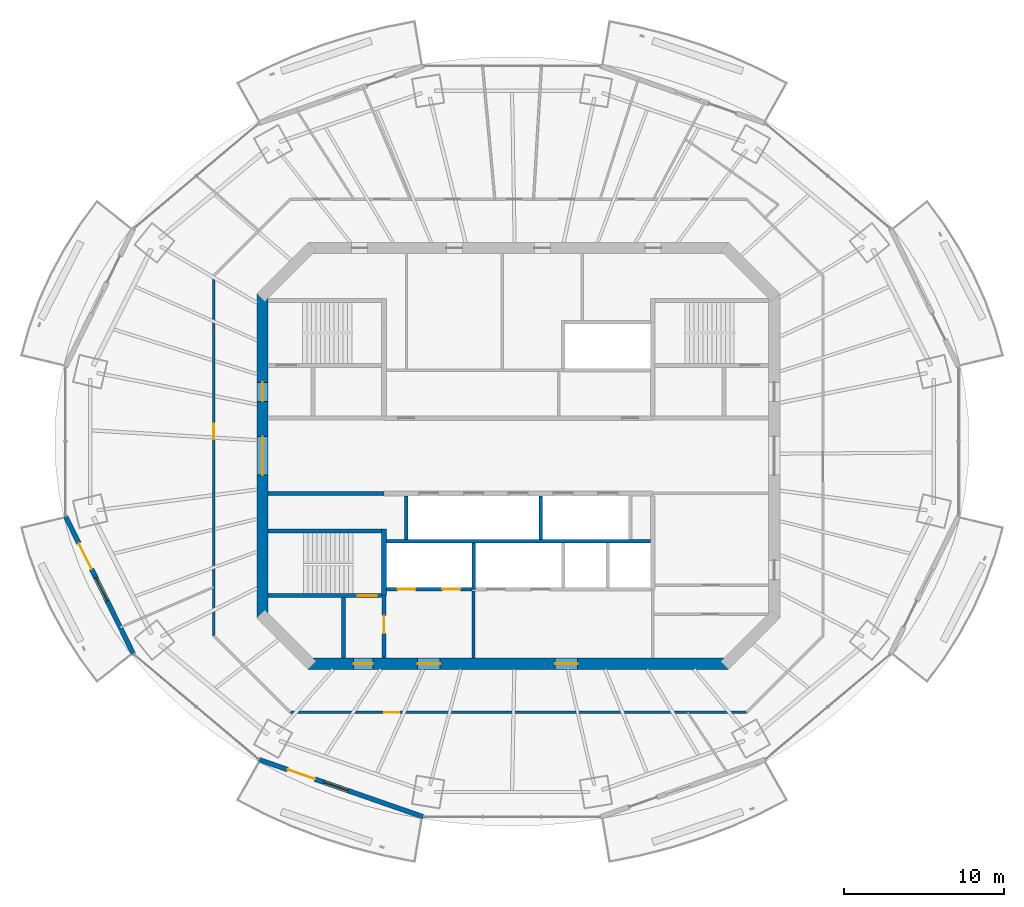
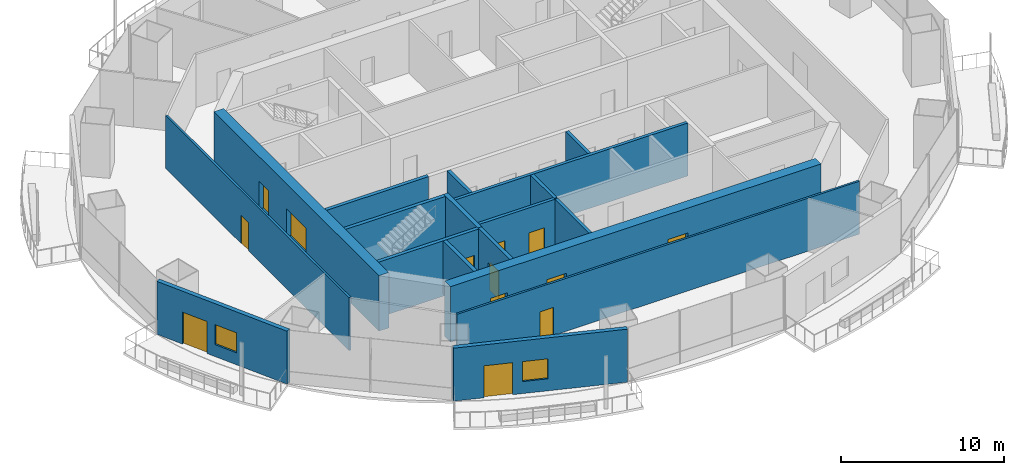
# One storey, part 8 of 16: 18 walls, 13 doors, 2 windows, 15 openings.
"""IFC4 building model written with IfcOpenShell, lengths in metres."""

from ifc_helpers import new_model, si_unit, direction, frame, frame_2d, origin, place, context, subcontext, project, spatial, rectangle, extrude, material, layer, layer_set, type_object, element, fill, save


model = new_model("IFC4")

# Units and contexts
model_context = context("Model", 3, precision=1e-05, world=origin(), true_north=direction((0.0, 1.0)))
body_context = subcontext(model_context, "Body", "Model", "MODEL_VIEW")
ifc_project = project(units=[si_unit("LENGTHUNIT", "METRE"), si_unit("AREAUNIT", "SQUARE_METRE"), si_unit("VOLUMEUNIT", "CUBIC_METRE"), si_unit("PLANEANGLEUNIT", "RADIAN"), si_unit("MASSUNIT", "GRAM", prefix="KILO")], contexts=[model_context])

# Site, building, storey
site_placement = place(None, origin())
site = spatial("IfcSite", under=ifc_project, at=site_placement, CompositionType="ELEMENT")
building_placement = place(site_placement, origin())
building = spatial("IfcBuilding", under=site, at=building_placement, Name="Marenthal Gate Tower", CompositionType="ELEMENT")
storey_placement = place(building_placement, frame((0.0, 0.0, 305.25)))
storey = spatial("IfcBuildingStorey", under=building, at=storey_placement, Name="L68", CompositionType="ELEMENT", Elevation=305.25)

# Wall, openings, doors
ifc_material_1 = material(Name="Concrete 60 MPa", Category="concrete")
ifc_layer_1 = layer(ifc_material_1, 0.699951171875)
ifc_layer_set_1 = layer_set([ifc_layer_1], Name="Core shear wall 700")
wall_type_1 = type_object("IfcWallType", Name="Core shear wall 700", PredefinedType="SHEAR", material=ifc_layer_set_1)
wall_1_placement = place(storey_placement, frame((-16.0, 10.14501953125, -0.179931640625), z_axis=(0.0, 0.0, 1.0), x_axis=(0.0, -1.0, 0.0)))
wall_1 = element("IfcWall", 1, at=wall_1_placement, inside=storey, type_object=wall_type_1, Name="Core wall 06", PredefinedType="SHEAR", context=body_context, shape_type="SweptSolid", body=[
    extrude(rectangle(XDim=20.2900390625, YDim=0.699951171875, at=frame_2d((10.14501953125, 0.0))), origin(), (0.0, 0.0, 1.0), 4.14990234375),
])
opening_1_placement = place(wall_1_placement, frame((8.945068359375, 0.0, 0.179931640625)))
opening_1 = element("IfcOpeningElement", 2, at=opening_1_placement, cuts=wall_1, Name="Opening D003.01", PredefinedType="OPENING", context=body_context, shape_type="SweptSolid", body=[
    extrude(rectangle(XDim=2.39990234375, YDim=2.10009765625, at=frame_2d((1.199951171875, 1.050048828125))), frame((0.0, 0.35986328125, 0.0), z_axis=(0.0, -1.0, 0.0), x_axis=(1.0, 0.0, 0.0)), (0.0, 0.0, 1.0), 0.719970703125),
])
opening_2_placement = place(wall_1_placement, frame((5.544921875, 0.0, 0.179931640625)))
opening_2 = element("IfcOpeningElement", 3, at=opening_2_placement, cuts=wall_1, Name="Opening D001.04", PredefinedType="OPENING", context=body_context, shape_type="SweptSolid", body=[
    extrude(rectangle(XDim=1.199951171875, YDim=2.10009765625, at=frame_2d((0.60009765625, 1.050048828125))), frame((0.0, 0.35986328125, 0.0), z_axis=(0.0, -1.0, 0.0), x_axis=(1.0, 0.0, 0.0)), (0.0, 0.0, 1.0), 0.719970703125),
])
ifc_material_2 = material(Name="Steel fire door", Category="steel")
door_type_1 = type_object("IfcDoorType", Name="Double fire door FD 45 2400 x 2100", OperationType="DOUBLE_DOOR_SINGLE_SWING", PredefinedType="DOOR", material=ifc_material_2)
door_1_placement = place(opening_1_placement, origin())
door_1 = element("IfcDoor", 4, at=door_1_placement, inside=storey, type_object=door_type_1, Name="Door D003.01", OperationType="DOUBLE_DOOR_SINGLE_SWING", OverallHeight=2.10009765625, OverallWidth=2.39990234375, PredefinedType="DOOR", context=body_context, shape_type="SweptSolid", body=[
    extrude(rectangle(XDim=2.39990234375, YDim=2.10009765625, at=frame_2d((1.199951171875, 1.050048828125))), frame((0.0, 0.02490234375, 0.0), z_axis=(0.0, -1.0, 0.0), x_axis=(1.0, 0.0, 0.0)), (0.0, 0.0, 1.0), 0.050048828125),
])
fill(opening_1, door_1)
ifc_material_3 = material(Name="Steel fire door", Category="steel")
door_type_2 = type_object("IfcDoorType", Name="Fire door FD 90 1200 x 2100", OperationType="NOTDEFINED", PredefinedType="DOOR", material=ifc_material_3)
door_2_placement = place(opening_2_placement, origin())
door_2 = element("IfcDoor", 5, at=door_2_placement, inside=storey, type_object=door_type_2, Name="Door D001.04", OperationType="SINGLE_SWING_RIGHT", OverallHeight=2.10009765625, OverallWidth=1.199951171875, PredefinedType="DOOR", context=body_context, shape_type="SweptSolid", body=[
    extrude(rectangle(XDim=1.199951171875, YDim=2.10009765625, at=frame_2d((0.60009765625, 1.050048828125))), frame((0.0, 0.02490234375, 0.0), z_axis=(0.0, -1.0, 0.0), x_axis=(1.0, 0.0, 0.0)), (0.0, 0.0, 1.0), 0.050048828125),
])
fill(opening_2, door_2)

wall_2_placement = place(storey_placement, frame((-13.14501953125, -13.0, -0.179931640625), z_axis=(0.0, 0.0, 1.0), x_axis=(1.0, 0.0, 0.0)))
wall_2 = element("IfcWall", 6, at=wall_2_placement, inside=storey, type_object=wall_type_1, Name="Core wall 08", PredefinedType="SHEAR", context=body_context, shape_type="SweptSolid", body=[
    extrude(rectangle(XDim=26.2900390625, YDim=0.699951171875, at=frame_2d((13.14501953125, 0.0))), origin(), (0.0, 0.0, 1.0), 4.14990234375),
])
opening_3_placement = place(wall_2_placement, frame((2.844970703125, 0.0, 0.179931640625)))
opening_3 = element("IfcOpeningElement", 7, at=opening_3_placement, cuts=wall_2, Name="Opening D001.06", PredefinedType="OPENING", context=body_context, shape_type="SweptSolid", body=[
    extrude(rectangle(XDim=1.199951171875, YDim=2.10009765625, at=frame_2d((0.60009765625, 1.050048828125))), frame((0.0, 0.35986328125, 0.0), z_axis=(0.0, -1.0, 0.0), x_axis=(1.0, 0.0, 0.0)), (0.0, 0.0, 1.0), 0.719970703125),
])
opening_4_placement = place(wall_2_placement, frame((6.844970703125, 0.0, 0.179931640625)))
opening_4 = element("IfcOpeningElement", 8, at=opening_4_placement, cuts=wall_2, Name="Opening D004.01", PredefinedType="OPENING", context=body_context, shape_type="SweptSolid", body=[
    extrude(rectangle(XDim=1.39990234375, YDim=2.10009765625, at=frame_2d((0.699951171875, 1.050048828125))), frame((0.0, 0.35986328125, 0.0), z_axis=(0.0, -1.0, 0.0), x_axis=(1.0, 0.0, 0.0)), (0.0, 0.0, 1.0), 0.719970703125),
])
opening_5_placement = place(wall_2_placement, frame((15.445068359375, 0.0, 0.179931640625)))
opening_5 = element("IfcOpeningElement", 9, at=opening_5_placement, cuts=wall_2, Name="Opening D004.02", PredefinedType="OPENING", context=body_context, shape_type="SweptSolid", body=[
    extrude(rectangle(XDim=1.39990234375, YDim=2.10009765625, at=frame_2d((0.699951171875, 1.050048828125))), frame((0.0, 0.35986328125, 0.0), z_axis=(0.0, -1.0, 0.0), x_axis=(1.0, 0.0, 0.0)), (0.0, 0.0, 1.0), 0.719970703125),
])
ifc_material_4 = material(Name="Steel fire door", Category="steel")
door_type_3 = type_object("IfcDoorType", Name="Fire door FD 45 1400 x 2100", OperationType="NOTDEFINED", PredefinedType="DOOR", material=ifc_material_4)
door_3_placement = place(opening_4_placement, origin())
door_3 = element("IfcDoor", 10, at=door_3_placement, inside=storey, type_object=door_type_3, Name="Door D004.01", OperationType="SINGLE_SWING_RIGHT", OverallHeight=2.10009765625, OverallWidth=1.39990234375, PredefinedType="DOOR", context=body_context, shape_type="SweptSolid", body=[
    extrude(rectangle(XDim=1.39990234375, YDim=2.10009765625, at=frame_2d((0.699951171875, 1.050048828125))), frame((0.0, 0.02490234375, 0.0), z_axis=(0.0, -1.0, 0.0), x_axis=(1.0, 0.0, 0.0)), (0.0, 0.0, 1.0), 0.050048828125),
])
fill(opening_4, door_3)
door_4_placement = place(opening_5_placement, origin())
door_4 = element("IfcDoor", 11, at=door_4_placement, inside=storey, type_object=door_type_3, Name="Door D004.02", OperationType="SINGLE_SWING_RIGHT", OverallHeight=2.10009765625, OverallWidth=1.39990234375, PredefinedType="DOOR", context=body_context, shape_type="SweptSolid", body=[
    extrude(rectangle(XDim=1.39990234375, YDim=2.10009765625, at=frame_2d((0.699951171875, 1.050048828125))), frame((0.0, 0.02490234375, 0.0), z_axis=(0.0, -1.0, 0.0), x_axis=(1.0, 0.0, 0.0)), (0.0, 0.0, 1.0), 0.050048828125),
])
fill(opening_5, door_4)
door_5_placement = place(opening_3_placement, origin())
door_5 = element("IfcDoor", 12, at=door_5_placement, inside=storey, type_object=door_type_2, Name="Door D001.06", OperationType="SINGLE_SWING_RIGHT", OverallHeight=2.10009765625, OverallWidth=1.199951171875, PredefinedType="DOOR", context=body_context, shape_type="SweptSolid", body=[
    extrude(rectangle(XDim=1.199951171875, YDim=2.10009765625, at=frame_2d((0.60009765625, 1.050048828125))), frame((0.0, 0.02490234375, 0.0), z_axis=(0.0, -1.0, 0.0), x_axis=(1.0, 0.0, 0.0)), (0.0, 0.0, 1.0), 0.050048828125),
])
fill(opening_3, door_5)

# Walls
ifc_material_5 = material(Name="Gypsum board on steel studs", Category="steel")
ifc_layer_2 = layer(ifc_material_5, 0.199951171875)
ifc_layer_set_2 = layer_set([ifc_layer_2], Name="Fire lobby wall 200")
wall_type_2 = type_object("IfcWallType", Name="Fire lobby wall 200", PredefinedType="PARTITIONING", material=ifc_layer_set_2)
wall_3_placement = place(storey_placement, frame((-2.800048828125, -12.64990234375, 0.0), z_axis=(0.0, 0.0, 1.0), x_axis=(0.0, 1.0, 0.0)))
element("IfcWall", 13, at=wall_3_placement, inside=storey, type_object=wall_type_2, Name="Fire wall 37", PredefinedType="PARTITIONING", context=body_context, shape_type="SweptSolid", body=[
    extrude(rectangle(XDim=4.18994140625, YDim=0.199951171875, at=frame_2d((2.094970703125, 0.0))), origin(), (0.0, 0.0, 1.0), 3.969970703125),
])
ifc_material_6 = material(Name="Concrete 50 MPa", Category="concrete")
ifc_layer_3 = layer(ifc_material_6, 0.300048828125)
ifc_layer_set_3 = layer_set([ifc_layer_3], Name="Hoistway shear wall 300")
wall_type_3 = type_object("IfcWallType", Name="Hoistway shear wall 300", PredefinedType="SHEAR", material=ifc_layer_set_3)
wall_4_placement = place(storey_placement, frame((-8.39990234375, -8.75, -0.179931640625), z_axis=(0.0, 0.0, 1.0), x_axis=(0.0, 1.0, 0.0)))
element("IfcWall", 14, at=wall_4_placement, inside=storey, type_object=wall_type_3, Name="Hoistway wall 32", PredefinedType="SHEAR", context=body_context, shape_type="SweptSolid", body=[
    extrude(rectangle(XDim=4.175048828125, YDim=0.300048828125, at=frame_2d((2.08740234375, 0.0))), origin(), (0.0, 0.0, 1.0), 4.14990234375),
])

# Wall, openings, doors
ifc_material_7 = material(Name="Concrete 40 MPa", Category="concrete")
ifc_layer_4 = layer(ifc_material_7, 0.219970703125)
ifc_layer_set_4 = layer_set([ifc_layer_4], Name="Hoistway wall 220")
wall_type_4 = type_object("IfcWallType", Name="Hoistway wall 220", PredefinedType="STANDARD", material=ifc_layer_set_4)
wall_5_placement = place(storey_placement, frame((-8.25, -8.35009765625, 0.0), z_axis=(0.0, 0.0, 1.0), x_axis=(1.0, 0.0, 0.0)))
wall_5 = element("IfcWall", 15, at=wall_5_placement, inside=storey, type_object=wall_type_4, Name="Hoistway wall 11", PredefinedType="STANDARD", context=body_context, shape_type="SweptSolid", body=[
    extrude(rectangle(XDim=5.340087890625, YDim=0.219970703125, at=frame_2d((2.669921875, 0.0))), origin(), (0.0, 0.0, 1.0), 3.969970703125),
])
opening_6_placement = place(wall_5_placement, frame((0.699951171875, 0.0, 0.0)))
opening_6 = element("IfcOpeningElement", 16, at=opening_6_placement, cuts=wall_5, Name="Opening LD-LF1", PredefinedType="OPENING", context=body_context, shape_type="SweptSolid", body=[
    extrude(rectangle(XDim=1.10009765625, YDim=2.10009765625, at=frame_2d((0.550048828125, 1.050048828125))), frame((0.0, 0.1201171875, 0.0), z_axis=(0.0, -1.0, 0.0), x_axis=(1.0, 0.0, 0.0)), (0.0, 0.0, 1.0), 0.239990234375),
])
opening_7_placement = place(wall_5_placement, frame((3.5, 0.0, 0.0)))
opening_7 = element("IfcOpeningElement", 17, at=opening_7_placement, cuts=wall_5, Name="Opening LD-LF2", PredefinedType="OPENING", context=body_context, shape_type="SweptSolid", body=[
    extrude(rectangle(XDim=1.10009765625, YDim=2.10009765625, at=frame_2d((0.550048828125, 1.050048828125))), frame((0.0, 0.1201171875, 0.0), z_axis=(0.0, -1.0, 0.0), x_axis=(1.0, 0.0, 0.0)), (0.0, 0.0, 1.0), 0.239990234375),
])
ifc_material_8 = material(Name="Stainless steel sliding door", Category="steel")
door_type_4 = type_object("IfcDoorType", Name="Lift landing door FD 90 1100 x 2100", OperationType="DOUBLE_DOOR_SLIDING", PredefinedType="DOOR", material=ifc_material_8)
door_6_placement = place(opening_6_placement, origin())
door_6 = element("IfcDoor", 18, at=door_6_placement, inside=storey, type_object=door_type_4, Name="Lift landing door LF1", OperationType="DOUBLE_DOOR_SLIDING", OverallHeight=2.10009765625, OverallWidth=1.10009765625, PredefinedType="DOOR", context=body_context, shape_type="SweptSolid", body=[
    extrude(rectangle(XDim=1.10009765625, YDim=2.10009765625, at=frame_2d((0.550048828125, 1.050048828125))), frame((0.0, 0.02490234375, 0.0), z_axis=(0.0, -1.0, 0.0), x_axis=(1.0, 0.0, 0.0)), (0.0, 0.0, 1.0), 0.050048828125),
])
fill(opening_6, door_6)
door_7_placement = place(opening_7_placement, origin())
door_7 = element("IfcDoor", 19, at=door_7_placement, inside=storey, type_object=door_type_4, Name="Lift landing door LF2", OperationType="DOUBLE_DOOR_SLIDING", OverallHeight=2.10009765625, OverallWidth=1.10009765625, PredefinedType="DOOR", context=body_context, shape_type="SweptSolid", body=[
    extrude(rectangle(XDim=1.10009765625, YDim=2.10009765625, at=frame_2d((0.550048828125, 1.050048828125))), frame((0.0, 0.02490234375, 0.0), z_axis=(0.0, -1.0, 0.0), x_axis=(1.0, 0.0, 0.0)), (0.0, 0.0, 1.0), 0.050048828125),
])
fill(opening_7, door_7)

# Walls
wall_6_placement = place(storey_placement, frame((-8.25, -5.35009765625, 0.0), z_axis=(0.0, 0.0, 1.0), x_axis=(1.0, 0.0, 0.0)))
element("IfcWall", 20, at=wall_6_placement, inside=storey, type_object=wall_type_4, Name="Hoistway wall 14", PredefinedType="STANDARD", context=body_context, shape_type="SweptSolid", body=[
    extrude(rectangle(XDim=16.5, YDim=0.219970703125, at=frame_2d((8.25, 0.0))), origin(), (0.0, 0.0, 1.0), 3.969970703125),
])
wall_7_placement = place(storey_placement, frame((-7.0, -5.239990234375, 0.0), z_axis=(0.0, 0.0, 1.0), x_axis=(0.0, 1.0, 0.0)))
element("IfcWall", 21, at=wall_7_placement, inside=storey, type_object=wall_type_4, Name="Hoistway wall 35", PredefinedType="STANDARD", context=body_context, shape_type="SweptSolid", body=[
    extrude(rectangle(XDim=2.739990234375, YDim=0.219970703125, at=frame_2d((1.3701171875, 0.0))), origin(), (0.0, 0.0, 1.0), 3.969970703125),
])
wall_8_placement = place(storey_placement, frame((-2.800048828125, -8.35009765625, 0.0), z_axis=(0.0, 0.0, 1.0), x_axis=(0.0, 1.0, 0.0)))
element("IfcWall", 22, at=wall_8_placement, inside=storey, type_object=wall_type_4, Name="Hoistway wall 38", PredefinedType="STANDARD", context=body_context, shape_type="SweptSolid", body=[
    extrude(rectangle(XDim=2.89013671875, YDim=0.219970703125, at=frame_2d((1.445068359375, 0.0))), origin(), (0.0, 0.0, 1.0), 3.969970703125),
])
wall_9_placement = place(storey_placement, frame((1.39990234375, -5.239990234375, 0.0), z_axis=(0.0, 0.0, 1.0), x_axis=(0.0, 1.0, 0.0)))
element("IfcWall", 23, at=wall_9_placement, inside=storey, type_object=wall_type_4, Name="Hoistway wall 40", PredefinedType="STANDARD", context=body_context, shape_type="SweptSolid", body=[
    extrude(rectangle(XDim=2.739990234375, YDim=0.219970703125, at=frame_2d((1.3701171875, 0.0))), origin(), (0.0, 0.0, 1.0), 3.969970703125),
])

# Wall, opening, door
ifc_material_9 = material(Name="Gypsum board on steel studs", Category="steel")
ifc_layer_5 = layer(ifc_material_9, 0.14990234375)
ifc_layer_set_5 = layer_set([ifc_layer_5], Name="Partition 150")
wall_type_5 = type_object("IfcWallType", Name="Partition 150", PredefinedType="PARTITIONING", material=ifc_layer_set_5)
wall_10_placement = place(storey_placement, frame((-19.050048828125, -11.263427734375, 0.0), z_axis=(0.0, 0.0, 1.0), x_axis=(0.0, 1.0, 0.0)))
wall_10 = element("IfcWall", 24, at=wall_10_placement, inside=storey, type_object=wall_type_5, Name="Partition wall 52", PredefinedType="PARTITIONING", context=body_context, shape_type="SweptSolid", body=[
    extrude(rectangle(XDim=22.52685546875, YDim=0.14990234375, at=frame_2d((11.263427734375, 0.0))), origin(), (0.0, 0.0, 1.0), 3.969970703125),
])
opening_8_placement = place(wall_10_placement, frame((12.31494140625, 0.0, 0.0)))
opening_8 = element("IfcOpeningElement", 25, at=opening_8_placement, cuts=wall_10, Name="Opening D016.08", PredefinedType="OPENING", context=body_context, shape_type="SweptSolid", body=[
    extrude(rectangle(XDim=0.949951171875, YDim=2.10009765625, at=frame_2d((0.47509765625, 1.050048828125))), frame((0.0, 0.0849609375, 0.0), z_axis=(0.0, -1.0, 0.0), x_axis=(1.0, 0.0, 0.0)), (0.0, 0.0, 1.0), 0.169921875),
])
ifc_material_10 = material(Name="Timber door", Category="wood")
door_type_5 = type_object("IfcDoorType", Name="Door 950 x 2100", OperationType="NOTDEFINED", PredefinedType="DOOR", material=ifc_material_10)
door_8_placement = place(opening_8_placement, frame((0.949951171875, 0.0, 0.0), z_axis=(0.0, 0.0, 1.0), x_axis=(-1.0, 0.0, 0.0)))
door_8 = element("IfcDoor", 26, at=door_8_placement, inside=storey, type_object=door_type_5, Name="Door D016.08", OperationType="SINGLE_SWING_LEFT", OverallHeight=2.10009765625, OverallWidth=0.949951171875, PredefinedType="DOOR", context=body_context, shape_type="SweptSolid", body=[
    extrude(rectangle(XDim=0.949951171875, YDim=2.10009765625, at=frame_2d((0.47509765625, 1.050048828125))), frame((0.0, 0.02490234375, 0.0), z_axis=(0.0, -1.0, 0.0), x_axis=(1.0, 0.0, 0.0)), (0.0, 0.0, 1.0), 0.050048828125),
])
fill(opening_8, door_8)

wall_11_placement = place(storey_placement, frame((14.263427734375, -16.050048828125, 0.0), z_axis=(0.0, 0.0, 1.0), x_axis=(-1.0, 0.0, 0.0)))
wall_11 = element("IfcWall", 27, at=wall_11_placement, inside=storey, type_object=wall_type_5, Name="Partition wall 65", PredefinedType="PARTITIONING", context=body_context, shape_type="SweptSolid", body=[
    extrude(rectangle(XDim=28.52685546875, YDim=0.14990234375, at=frame_2d((14.263427734375, 0.0))), origin(), (0.0, 0.0, 1.0), 3.969970703125),
])
opening_9_placement = place(wall_11_placement, frame((21.717041015625, 0.0, 0.0)))
opening_9 = element("IfcOpeningElement", 28, at=opening_9_placement, cuts=wall_11, Name="Opening D016.09", PredefinedType="OPENING", context=body_context, shape_type="SweptSolid", body=[
    extrude(rectangle(XDim=0.949951171875, YDim=2.10009765625, at=frame_2d((0.47509765625, 1.050048828125))), frame((0.0, 0.0849609375, 0.0), z_axis=(0.0, -1.0, 0.0), x_axis=(1.0, 0.0, 0.0)), (0.0, 0.0, 1.0), 0.169921875),
])
door_9_placement = place(opening_9_placement, frame((0.949951171875, 0.0, 0.0), z_axis=(0.0, 0.0, 1.0), x_axis=(-1.0, 0.0, 0.0)))
door_9 = element("IfcDoor", 29, at=door_9_placement, inside=storey, type_object=door_type_5, Name="Door D016.09", OperationType="SINGLE_SWING_LEFT", OverallHeight=2.10009765625, OverallWidth=0.949951171875, PredefinedType="DOOR", context=body_context, shape_type="SweptSolid", body=[
    extrude(rectangle(XDim=0.949951171875, YDim=2.10009765625, at=frame_2d((0.47509765625, 1.050048828125))), frame((0.0, 0.02490234375, 0.0), z_axis=(0.0, -1.0, 0.0), x_axis=(1.0, 0.0, 0.0)), (0.0, 0.0, 1.0), 0.050048828125),
])
fill(opening_9, door_9)

# Walls
ifc_material_11 = material(Name="Concrete 40 MPa", Category="concrete")
ifc_layer_6 = layer(ifc_material_11, 0.25)
ifc_layer_set_6 = layer_set([ifc_layer_6], Name="Stair enclosure wall 250")
wall_type_6 = type_object("IfcWallType", Name="Stair enclosure wall 250", PredefinedType="STANDARD", material=ifc_layer_set_6)
wall_12_placement = place(storey_placement, frame((-15.64990234375, -2.35009765625, 0.0), z_axis=(0.0, 0.0, 1.0), x_axis=(1.0, 0.0, 0.0)))
element("IfcWall", 30, at=wall_12_placement, inside=storey, type_object=wall_type_6, Name="Stair wall 16", PredefinedType="STANDARD", context=body_context, shape_type="SweptSolid", body=[
    extrude(rectangle(XDim=7.25, YDim=0.25, at=frame_2d((3.625, 0.0))), origin(), (0.0, 0.0, 1.0), 3.969970703125),
])
wall_13_placement = place(storey_placement, frame((-10.949951171875, -12.64990234375, 0.0), z_axis=(0.0, 0.0, 1.0), x_axis=(0.0, 1.0, 0.0)))
element("IfcWall", 31, at=wall_13_placement, inside=storey, type_object=wall_type_6, Name="Stair wall 30", PredefinedType="STANDARD", context=body_context, shape_type="SweptSolid", body=[
    extrude(rectangle(XDim=3.77490234375, YDim=0.25, at=frame_2d((1.887451171875, 0.0))), origin(), (0.0, 0.0, 1.0), 3.969970703125),
])

# Wall, opening, door
wall_14_placement = place(storey_placement, frame((-8.39990234375, -12.64990234375, 0.0), z_axis=(0.0, 0.0, 1.0), x_axis=(0.0, 1.0, 0.0)))
wall_14 = element("IfcWall", 32, at=wall_14_placement, inside=storey, type_object=wall_type_6, Name="Stair wall 31", PredefinedType="STANDARD", context=body_context, shape_type="SweptSolid", body=[
    extrude(rectangle(XDim=3.89990234375, YDim=0.25, at=frame_2d((1.949951171875, 0.0))), origin(), (0.0, 0.0, 1.0), 3.969970703125),
])
opening_10_placement = place(wall_14_placement, frame((1.550048828125, 0.0, 0.0)))
opening_10 = element("IfcOpeningElement", 33, at=opening_10_placement, cuts=wall_14, Name="Opening D002.01", PredefinedType="OPENING", context=body_context, shape_type="SweptSolid", body=[
    extrude(rectangle(XDim=1.10009765625, YDim=2.10009765625, at=frame_2d((0.550048828125, 1.050048828125))), frame((0.0, 0.135009765625, 0.0), z_axis=(0.0, -1.0, 0.0), x_axis=(1.0, 0.0, 0.0)), (0.0, 0.0, 1.0), 0.27001953125),
])
ifc_material_12 = material(Name="Steel fire door", Category="steel")
door_type_6 = type_object("IfcDoorType", Name="Fire door FD 90 1100 x 2100", OperationType="NOTDEFINED", PredefinedType="DOOR", material=ifc_material_12)
door_10_placement = place(opening_10_placement, origin())
door_10 = element("IfcDoor", 34, at=door_10_placement, inside=storey, type_object=door_type_6, Name="Door D002.01", OperationType="SINGLE_SWING_RIGHT", OverallHeight=2.10009765625, OverallWidth=1.10009765625, PredefinedType="DOOR", context=body_context, shape_type="SweptSolid", body=[
    extrude(rectangle(XDim=1.10009765625, YDim=2.10009765625, at=frame_2d((0.550048828125, 1.050048828125))), frame((0.0, 0.02490234375, 0.0), z_axis=(0.0, -1.0, 0.0), x_axis=(1.0, 0.0, 0.0)), (0.0, 0.0, 1.0), 0.050048828125),
])
fill(opening_10, door_10)

ifc_material_13 = material(Name="Concrete 50 MPa", Category="concrete")
ifc_layer_7 = layer(ifc_material_13, 0.25)
ifc_layer_set_7 = layer_set([ifc_layer_7], Name="Stair shear wall 250")
wall_type_7 = type_object("IfcWallType", Name="Stair shear wall 250", PredefinedType="SHEAR", material=ifc_layer_set_7)
wall_15_placement = place(storey_placement, frame((-15.64990234375, -8.75, -0.179931640625), z_axis=(0.0, 0.0, 1.0), x_axis=(1.0, 0.0, 0.0)))
wall_15 = element("IfcWall", 35, at=wall_15_placement, inside=storey, type_object=wall_type_7, Name="Stair wall 10", PredefinedType="SHEAR", context=body_context, shape_type="SweptSolid", body=[
    extrude(rectangle(XDim=7.099853515625, YDim=0.25, at=frame_2d((3.5498046875, 0.0))), origin(), (0.0, 0.0, 1.0), 4.14990234375),
])
opening_11_placement = place(wall_15_placement, frame((5.60009765625, 0.0, 0.179931640625)))
opening_11 = element("IfcOpeningElement", 36, at=opening_11_placement, cuts=wall_15, Name="Opening D001.03", PredefinedType="OPENING", context=body_context, shape_type="SweptSolid", body=[
    extrude(rectangle(XDim=1.199951171875, YDim=2.10009765625, at=frame_2d((0.60009765625, 1.050048828125))), frame((0.0, 0.135009765625, 0.0), z_axis=(0.0, -1.0, 0.0), x_axis=(1.0, 0.0, 0.0)), (0.0, 0.0, 1.0), 0.27001953125),
])
door_11_placement = place(opening_11_placement, origin())
door_11 = element("IfcDoor", 37, at=door_11_placement, inside=storey, type_object=door_type_2, Name="Door D001.03", OperationType="SINGLE_SWING_RIGHT", OverallHeight=2.10009765625, OverallWidth=1.199951171875, PredefinedType="DOOR", context=body_context, shape_type="SweptSolid", body=[
    extrude(rectangle(XDim=1.199951171875, YDim=2.10009765625, at=frame_2d((0.60009765625, 1.050048828125))), frame((0.0, 0.02490234375, 0.0), z_axis=(0.0, -1.0, 0.0), x_axis=(1.0, 0.0, 0.0)), (0.0, 0.0, 1.0), 0.050048828125),
])
fill(opening_11, door_11)

# Wall
wall_16_placement = place(storey_placement, frame((-15.64990234375, -4.699951171875, -0.179931640625), z_axis=(0.0, 0.0, 1.0), x_axis=(1.0, 0.0, 0.0)))
element("IfcWall", 38, at=wall_16_placement, inside=storey, type_object=wall_type_7, Name="Stair wall 15", PredefinedType="SHEAR", context=body_context, shape_type="SweptSolid", body=[
    extrude(rectangle(XDim=7.099853515625, YDim=0.25, at=frame_2d((3.5498046875, 0.0))), origin(), (0.0, 0.0, 1.0), 4.14990234375),
])

# Wall, openings, door, window
ifc_material_14 = material(Name="Terracotta cladding on insulated concrete-block backing", Category="masonry")
ifc_layer_8 = layer(ifc_material_14, 0.300048828125)
ifc_layer_set_8 = layer_set([ifc_layer_8], Name="Terracotta facade wall 300")
wall_type_8 = type_object("IfcWallType", Name="Terracotta facade wall 300", PredefinedType="SOLIDWALL", material=ifc_layer_set_8)
wall_17_placement = place(storey_placement, frame((-28.328857421875, -3.77001953125, 0.0), z_axis=(0.0, 0.0, 1.0), x_axis=(0.441998272381, -0.897015901315, 0.0)))
wall_17 = element("IfcWall", 39, at=wall_17_placement, inside=storey, type_object=wall_type_8, Name="Terracotta facade wall L68 bay 9", PredefinedType="SOLIDWALL", context=body_context, shape_type="SweptSolid", body=[
    extrude(rectangle(XDim=9.619873046875, YDim=0.300048828125, at=frame_2d((4.81005859375, 0.0))), origin(), (0.0, 0.0, 1.0), 3.969970703125),
])
opening_12_placement = place(wall_17_placement, frame((1.89990234375, 0.0, 0.0)))
opening_12 = element("IfcOpeningElement", 40, at=opening_12_placement, cuts=wall_17, Name="Opening BD-L68-09", PredefinedType="OPENING", context=body_context, shape_type="SweptSolid", body=[
    extrude(rectangle(XDim=1.800048828125, YDim=2.39990234375, at=frame_2d((0.89990234375, 1.199951171875))), frame((0.0, 0.16015625, 0.0), z_axis=(0.0, -1.0, 0.0), x_axis=(1.0, 0.0, 0.0)), (0.0, 0.0, 1.0), 0.320068359375),
])
opening_13_placement = place(wall_17_placement, frame((4.300048828125, 0.0, 0.89990234375)))
opening_13 = element("IfcOpeningElement", 41, at=opening_13_placement, cuts=wall_17, Name="Opening WN3-L68-09", PredefinedType="OPENING", context=body_context, shape_type="SweptSolid", body=[
    extrude(rectangle(XDim=1.60009765625, YDim=1.5, at=frame_2d((0.800048828125, 0.75))), frame((0.0, 0.16015625, 0.0), z_axis=(0.0, -1.0, 0.0), x_axis=(1.0, 0.0, 0.0)), (0.0, 0.0, 1.0), 0.320068359375),
])
ifc_material_15 = material(Name="Aluminium and glass", Category="aluminium")
door_type_7 = type_object("IfcDoorType", Name="Balcony door 1800x2400", OperationType="DOUBLE_DOOR_SINGLE_SWING", PredefinedType="DOOR", material=ifc_material_15)
door_12_placement = place(opening_12_placement, origin())
door_12 = element("IfcDoor", 42, at=door_12_placement, inside=storey, type_object=door_type_7, Name="Balcony door L68 bay 9", OperationType="SINGLE_SWING_LEFT", OverallHeight=2.39990234375, OverallWidth=1.800048828125, PredefinedType="DOOR", context=body_context, shape_type="SweptSolid", body=[
    extrude(rectangle(XDim=1.800048828125, YDim=2.39990234375, at=frame_2d((0.89990234375, 1.199951171875))), frame((0.0, 0.02490234375, 0.0), z_axis=(0.0, -1.0, 0.0), x_axis=(1.0, 0.0, 0.0)), (0.0, 0.0, 1.0), 0.050048828125),
])
fill(opening_12, door_12)
ifc_material_16 = material(Name="Aluminium and glass", Category="aluminium")
window_type = type_object("IfcWindowType", Name="Window 1600x1500", PartitioningType="DOUBLE_PANEL_VERTICAL", PredefinedType="WINDOW", material=ifc_material_16)
window_1_placement = place(opening_13_placement, origin())
window_1 = element("IfcWindow", 43, at=window_1_placement, inside=storey, type_object=window_type, Name="Window L68 bay 9", OverallHeight=1.5, OverallWidth=1.60009765625, PartitioningType="SINGLE_PANEL", PredefinedType="WINDOW", context=body_context, shape_type="SweptSolid", body=[
    extrude(rectangle(XDim=1.60009765625, YDim=1.5, at=frame_2d((0.800048828125, 0.75))), frame((0.0, 0.030029296875, 0.0), z_axis=(0.0, -1.0, 0.0), x_axis=(1.0, 0.0, 0.0)), (0.0, 0.0, 1.0), 0.06005859375),
])
fill(opening_13, window_1)

wall_18_placement = place(storey_placement, frame((-16.220458984375, -19.003662109375, 0.0), z_axis=(0.0, 0.0, 1.0), x_axis=(0.944390086162, -0.328827257323, 0.0)))
wall_18 = element("IfcWall", 44, at=wall_18_placement, inside=storey, type_object=wall_type_8, Name="Terracotta facade wall L68 bay 11", PredefinedType="SOLIDWALL", context=body_context, shape_type="SweptSolid", body=[
    extrude(rectangle(XDim=10.86962890625, YDim=0.300048828125, at=frame_2d((5.434814453125, 0.0))), origin(), (0.0, 0.0, 1.0), 3.969970703125),
])
opening_14_placement = place(wall_18_placement, frame((1.89990234375, 0.0, 0.0)))
opening_14 = element("IfcOpeningElement", 45, at=opening_14_placement, cuts=wall_18, Name="Opening BD-L68-11", PredefinedType="OPENING", context=body_context, shape_type="SweptSolid", body=[
    extrude(rectangle(XDim=1.800048828125, YDim=2.39990234375, at=frame_2d((0.89990234375, 1.199951171875))), frame((0.0, 0.16015625, 0.0), z_axis=(0.0, -1.0, 0.0), x_axis=(1.0, 0.0, 0.0)), (0.0, 0.0, 1.0), 0.320068359375),
])
opening_15_placement = place(wall_18_placement, frame((4.300048828125, 0.0, 0.89990234375)))
opening_15 = element("IfcOpeningElement", 46, at=opening_15_placement, cuts=wall_18, Name="Opening WN3-L68-11", PredefinedType="OPENING", context=body_context, shape_type="SweptSolid", body=[
    extrude(rectangle(XDim=1.60009765625, YDim=1.5, at=frame_2d((0.800048828125, 0.75))), frame((0.0, 0.16015625, 0.0), z_axis=(0.0, -1.0, 0.0), x_axis=(1.0, 0.0, 0.0)), (0.0, 0.0, 1.0), 0.320068359375),
])
door_13_placement = place(opening_14_placement, origin())
door_13 = element("IfcDoor", 47, at=door_13_placement, inside=storey, type_object=door_type_7, Name="Balcony door L68 bay 11", OperationType="SINGLE_SWING_LEFT", OverallHeight=2.39990234375, OverallWidth=1.800048828125, PredefinedType="DOOR", context=body_context, shape_type="SweptSolid", body=[
    extrude(rectangle(XDim=1.800048828125, YDim=2.39990234375, at=frame_2d((0.89990234375, 1.199951171875))), frame((0.0, 0.02490234375, 0.0), z_axis=(0.0, -1.0, 0.0), x_axis=(1.0, 0.0, 0.0)), (0.0, 0.0, 1.0), 0.050048828125),
])
fill(opening_14, door_13)
window_2_placement = place(opening_15_placement, origin())
window_2 = element("IfcWindow", 48, at=window_2_placement, inside=storey, type_object=window_type, Name="Window L68 bay 11", OverallHeight=1.5, OverallWidth=1.60009765625, PartitioningType="SINGLE_PANEL", PredefinedType="WINDOW", context=body_context, shape_type="SweptSolid", body=[
    extrude(rectangle(XDim=1.60009765625, YDim=1.5, at=frame_2d((0.800048828125, 0.75))), frame((0.0, 0.030029296875, 0.0), z_axis=(0.0, -1.0, 0.0), x_axis=(1.0, 0.0, 0.0)), (0.0, 0.0, 1.0), 0.06005859375),
])
fill(opening_15, window_2)

save(model, "model.ifc")
